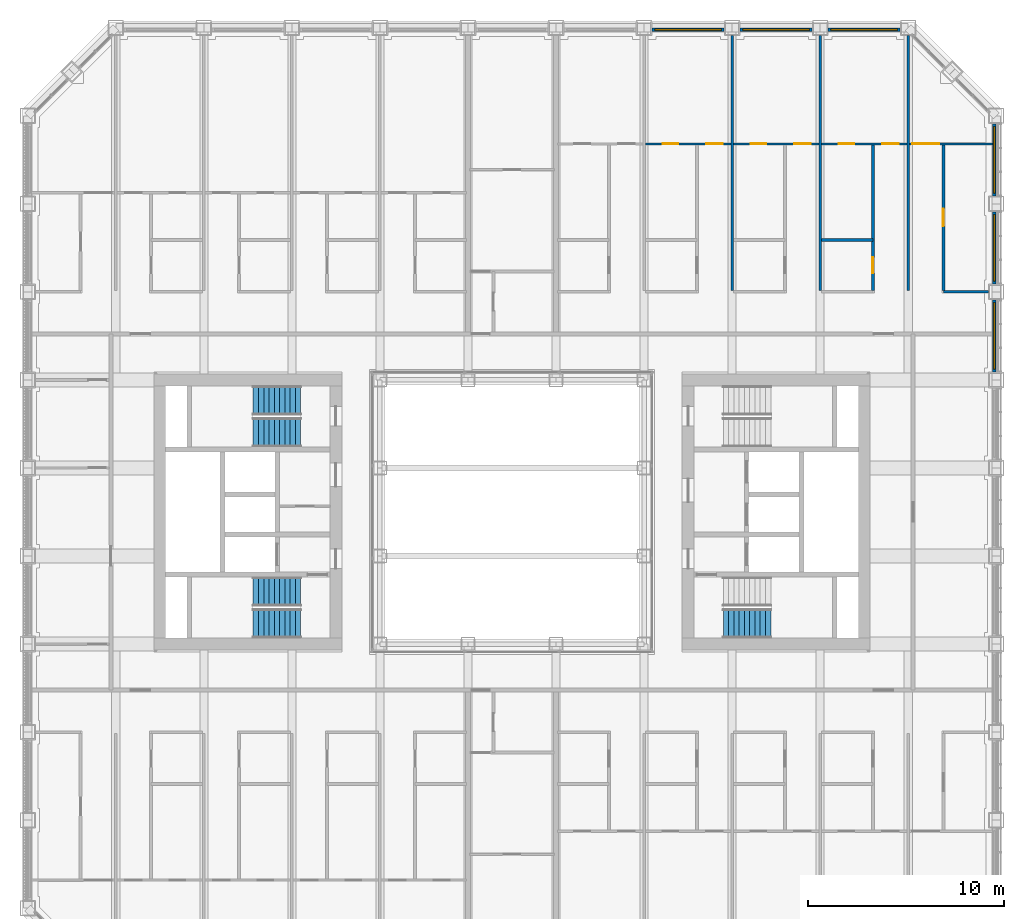
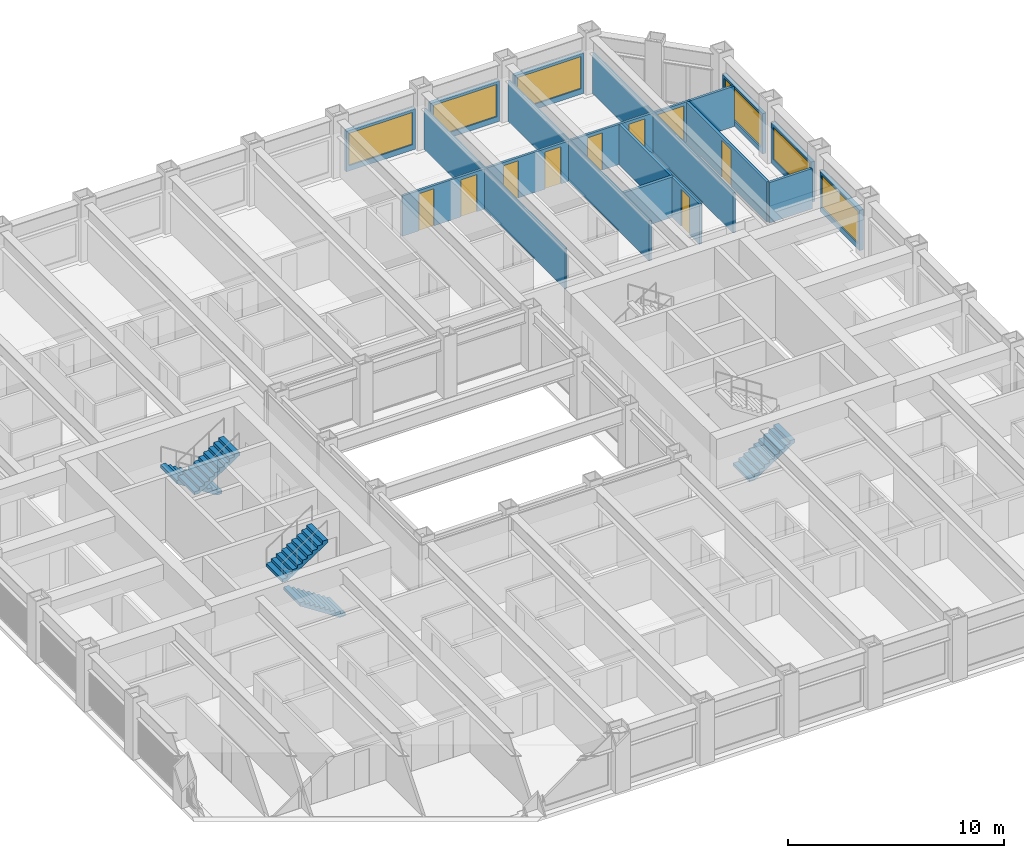
# One storey, part 15 of 21: 17 walls, 9 doors, 6 windows, 5 stair flights, 15 openings, 3 elements without a shape of their own.
"""IFC4 building model written with IfcOpenShell, lengths in metres."""

from ifc_helpers import new_model, si_unit, direction, frame, frame_2d, origin, place, context, subcontext, project, spatial, polyline, rectangle, outline, extrude, material, layer, layer_set, type_object, element, fill, aggregate, save


model = new_model("IFC4")

# Units and contexts
model_context = context("Model", 3, precision=1e-05, world=origin(), true_north=direction((0.0, 1.0)))
body_context = subcontext(model_context, "Body", "Model", "MODEL_VIEW")
ifc_project = project(units=[si_unit("LENGTHUNIT", "METRE"), si_unit("AREAUNIT", "SQUARE_METRE"), si_unit("VOLUMEUNIT", "CUBIC_METRE"), si_unit("PLANEANGLEUNIT", "RADIAN"), si_unit("MASSUNIT", "GRAM", prefix="KILO")], contexts=[model_context])

# Site, building, storey
site_placement = place(None, origin())
site = spatial("IfcSite", under=ifc_project, at=site_placement, CompositionType="ELEMENT")
building_placement = place(site_placement, origin())
building = spatial("IfcBuilding", under=site, at=building_placement, Name="Msasa Ring Tower", CompositionType="ELEMENT")
storey_placement = place(building_placement, frame((0.0, 0.0, 103.5)))
storey = spatial("IfcBuildingStorey", under=building, at=storey_placement, Name="L27", CompositionType="ELEMENT", Elevation=103.5)

# Wall, opening, window
ifc_material_1 = material(Name="Terracotta rainscreen on blockwork", Category="masonry")
ifc_layer_1 = layer(ifc_material_1, 0.199951171875)
ifc_layer_set_1 = layer_set([ifc_layer_1], Name="FW1 TERRACOTTA-LINED INFILL BAY WALL 200")
wall_type_1 = type_object("IfcWallType", Name="FW1 TERRACOTTA-LINED INFILL BAY WALL 200", PredefinedType="SOLIDWALL", material=ifc_layer_set_1)
wall_1_placement = place(storey_placement, frame((24.64990234375, 7.155029296875, 0.0), z_axis=(0.0, 0.0, 1.0), x_axis=(0.0, 1.0, 0.0)))
wall_1 = element("IfcWall", 1, at=wall_1_placement, inside=storey, type_object=wall_type_1, Name="Infill bay wall E L27 17", PredefinedType="SOLIDWALL", context=body_context, shape_type="SweptSolid", body=[
    extrude(rectangle(XDim=3.68994140625, YDim=0.199951171875, at=frame_2d((1.844970703125, 0.0))), origin(), (0.0, 0.0, 1.0), 2.279052734375),
])
opening_1_placement = place(wall_1_placement, frame((0.14501953125, 0.0, 0.300048828125)))
opening_1 = element("IfcOpeningElement", 2, at=opening_1_placement, cuts=wall_1, Name="Opening WN6", PredefinedType="OPENING", context=body_context, shape_type="SweptSolid", body=[
    extrude(rectangle(XDim=3.39990234375, YDim=1.8291015625, at=frame_2d((1.699951171875, 0.91455078125))), frame((0.0, 0.10986328125, 0.0), z_axis=(0.0, -1.0, 0.0), x_axis=(1.0, 0.0, 0.0)), (0.0, 0.0, 1.0), 0.219970703125),
])
ifc_material_2 = material(Name="Aluminium frame with clear glass", Category="aluminium")
window_type = type_object("IfcWindowType", Name="WN6 RESIDENCE WINDOW 3400x1829", PartitioningType="SINGLE_PANEL", PredefinedType="WINDOW", material=ifc_material_2)
window_1_placement = place(opening_1_placement, origin())
window_1 = element("IfcWindow", 3, at=window_1_placement, inside=storey, type_object=window_type, Name="Window E L27 17", OverallHeight=1.8291015625, OverallWidth=3.39990234375, PartitioningType="SINGLE_PANEL", PredefinedType="WINDOW", context=body_context, shape_type="SweptSolid", body=[
    extrude(rectangle(XDim=3.39990234375, YDim=1.8291015625, at=frame_2d((1.699951171875, 0.91455078125))), frame((0.0, 0.030029296875, 0.0), z_axis=(0.0, -1.0, 0.0), x_axis=(1.0, 0.0, 0.0)), (0.0, 0.0, 1.0), 0.06005859375),
])
fill(opening_1, window_1)

wall_2_placement = place(storey_placement, frame((24.64990234375, 11.655029296875, 0.0), z_axis=(0.0, 0.0, 1.0), x_axis=(0.0, 1.0, 0.0)))
wall_2 = element("IfcWall", 4, at=wall_2_placement, inside=storey, type_object=wall_type_1, Name="Infill bay wall E L27 18", PredefinedType="SOLIDWALL", context=body_context, shape_type="SweptSolid", body=[
    extrude(rectangle(XDim=3.68994140625, YDim=0.199951171875, at=frame_2d((1.844970703125, 0.0))), origin(), (0.0, 0.0, 1.0), 2.279052734375),
])
opening_2_placement = place(wall_2_placement, frame((0.14501953125, 0.0, 0.300048828125)))
opening_2 = element("IfcOpeningElement", 5, at=opening_2_placement, cuts=wall_2, Name="Opening WN6", PredefinedType="OPENING", context=body_context, shape_type="SweptSolid", body=[
    extrude(rectangle(XDim=3.39990234375, YDim=1.8291015625, at=frame_2d((1.699951171875, 0.91455078125))), frame((0.0, 0.10986328125, 0.0), z_axis=(0.0, -1.0, 0.0), x_axis=(1.0, 0.0, 0.0)), (0.0, 0.0, 1.0), 0.219970703125),
])
window_2_placement = place(opening_2_placement, origin())
window_2 = element("IfcWindow", 6, at=window_2_placement, inside=storey, type_object=window_type, Name="Window E L27 18", OverallHeight=1.8291015625, OverallWidth=3.39990234375, PartitioningType="SINGLE_PANEL", PredefinedType="WINDOW", context=body_context, shape_type="SweptSolid", body=[
    extrude(rectangle(XDim=3.39990234375, YDim=1.8291015625, at=frame_2d((1.699951171875, 0.91455078125))), frame((0.0, 0.030029296875, 0.0), z_axis=(0.0, -1.0, 0.0), x_axis=(1.0, 0.0, 0.0)), (0.0, 0.0, 1.0), 0.06005859375),
])
fill(opening_2, window_2)

wall_3_placement = place(storey_placement, frame((24.64990234375, 16.155029296875, 0.0), z_axis=(0.0, 0.0, 1.0), x_axis=(0.0, 1.0, 0.0)))
wall_3 = element("IfcWall", 7, at=wall_3_placement, inside=storey, type_object=wall_type_1, Name="Infill bay wall E L27 19", PredefinedType="SOLIDWALL", context=body_context, shape_type="SweptSolid", body=[
    extrude(rectangle(XDim=3.68994140625, YDim=0.199951171875, at=frame_2d((1.844970703125, 0.0))), origin(), (0.0, 0.0, 1.0), 2.279052734375),
])
opening_3_placement = place(wall_3_placement, frame((0.14501953125, 0.0, 0.300048828125)))
opening_3 = element("IfcOpeningElement", 8, at=opening_3_placement, cuts=wall_3, Name="Opening WN6", PredefinedType="OPENING", context=body_context, shape_type="SweptSolid", body=[
    extrude(rectangle(XDim=3.39990234375, YDim=1.8291015625, at=frame_2d((1.699951171875, 0.91455078125))), frame((0.0, 0.10986328125, 0.0), z_axis=(0.0, -1.0, 0.0), x_axis=(1.0, 0.0, 0.0)), (0.0, 0.0, 1.0), 0.219970703125),
])
window_3_placement = place(opening_3_placement, origin())
window_3 = element("IfcWindow", 9, at=window_3_placement, inside=storey, type_object=window_type, Name="Window E L27 19", OverallHeight=1.8291015625, OverallWidth=3.39990234375, PartitioningType="SINGLE_PANEL", PredefinedType="WINDOW", context=body_context, shape_type="SweptSolid", body=[
    extrude(rectangle(XDim=3.39990234375, YDim=1.8291015625, at=frame_2d((1.699951171875, 0.91455078125))), frame((0.0, 0.030029296875, 0.0), z_axis=(0.0, -1.0, 0.0), x_axis=(1.0, 0.0, 0.0)), (0.0, 0.0, 1.0), 0.06005859375),
])
fill(opening_3, window_3)

wall_4_placement = place(storey_placement, frame((7.155029296875, 24.64990234375, 0.0), z_axis=(0.0, 0.0, 1.0), x_axis=(1.0, 0.0, 0.0)))
wall_4 = element("IfcWall", 10, at=wall_4_placement, inside=storey, type_object=wall_type_1, Name="Infill bay wall N L27 28", PredefinedType="SOLIDWALL", context=body_context, shape_type="SweptSolid", body=[
    extrude(rectangle(XDim=3.68994140625, YDim=0.199951171875, at=frame_2d((1.844970703125, 0.0))), origin(), (0.0, 0.0, 1.0), 2.279052734375),
])
opening_4_placement = place(wall_4_placement, frame((0.14501953125, 0.0, 0.300048828125)))
opening_4 = element("IfcOpeningElement", 11, at=opening_4_placement, cuts=wall_4, Name="Opening WN6", PredefinedType="OPENING", context=body_context, shape_type="SweptSolid", body=[
    extrude(rectangle(XDim=3.39990234375, YDim=1.8291015625, at=frame_2d((1.699951171875, 0.91455078125))), frame((0.0, 0.10986328125, 0.0), z_axis=(0.0, -1.0, 0.0), x_axis=(1.0, 0.0, 0.0)), (0.0, 0.0, 1.0), 0.219970703125),
])
window_4_placement = place(opening_4_placement, origin())
window_4 = element("IfcWindow", 12, at=window_4_placement, inside=storey, type_object=window_type, Name="Window N L27 28", OverallHeight=1.8291015625, OverallWidth=3.39990234375, PartitioningType="SINGLE_PANEL", PredefinedType="WINDOW", context=body_context, shape_type="SweptSolid", body=[
    extrude(rectangle(XDim=3.39990234375, YDim=1.8291015625, at=frame_2d((1.699951171875, 0.91455078125))), frame((0.0, 0.030029296875, 0.0), z_axis=(0.0, -1.0, 0.0), x_axis=(1.0, 0.0, 0.0)), (0.0, 0.0, 1.0), 0.06005859375),
])
fill(opening_4, window_4)

wall_5_placement = place(storey_placement, frame((11.655029296875, 24.64990234375, 0.0), z_axis=(0.0, 0.0, 1.0), x_axis=(1.0, 0.0, 0.0)))
wall_5 = element("IfcWall", 13, at=wall_5_placement, inside=storey, type_object=wall_type_1, Name="Infill bay wall N L27 29", PredefinedType="SOLIDWALL", context=body_context, shape_type="SweptSolid", body=[
    extrude(rectangle(XDim=3.68994140625, YDim=0.199951171875, at=frame_2d((1.844970703125, 0.0))), origin(), (0.0, 0.0, 1.0), 2.279052734375),
])
opening_5_placement = place(wall_5_placement, frame((0.14501953125, 0.0, 0.300048828125)))
opening_5 = element("IfcOpeningElement", 14, at=opening_5_placement, cuts=wall_5, Name="Opening WN6", PredefinedType="OPENING", context=body_context, shape_type="SweptSolid", body=[
    extrude(rectangle(XDim=3.39990234375, YDim=1.8291015625, at=frame_2d((1.699951171875, 0.91455078125))), frame((0.0, 0.10986328125, 0.0), z_axis=(0.0, -1.0, 0.0), x_axis=(1.0, 0.0, 0.0)), (0.0, 0.0, 1.0), 0.219970703125),
])
window_5_placement = place(opening_5_placement, origin())
window_5 = element("IfcWindow", 15, at=window_5_placement, inside=storey, type_object=window_type, Name="Window N L27 29", OverallHeight=1.8291015625, OverallWidth=3.39990234375, PartitioningType="SINGLE_PANEL", PredefinedType="WINDOW", context=body_context, shape_type="SweptSolid", body=[
    extrude(rectangle(XDim=3.39990234375, YDim=1.8291015625, at=frame_2d((1.699951171875, 0.91455078125))), frame((0.0, 0.030029296875, 0.0), z_axis=(0.0, -1.0, 0.0), x_axis=(1.0, 0.0, 0.0)), (0.0, 0.0, 1.0), 0.06005859375),
])
fill(opening_5, window_5)

wall_6_placement = place(storey_placement, frame((16.155029296875, 24.64990234375, 0.0), z_axis=(0.0, 0.0, 1.0), x_axis=(1.0, 0.0, 0.0)))
wall_6 = element("IfcWall", 16, at=wall_6_placement, inside=storey, type_object=wall_type_1, Name="Infill bay wall N L27 30", PredefinedType="SOLIDWALL", context=body_context, shape_type="SweptSolid", body=[
    extrude(rectangle(XDim=3.68994140625, YDim=0.199951171875, at=frame_2d((1.844970703125, 0.0))), origin(), (0.0, 0.0, 1.0), 2.279052734375),
])
opening_6_placement = place(wall_6_placement, frame((0.14501953125, 0.0, 0.300048828125)))
opening_6 = element("IfcOpeningElement", 17, at=opening_6_placement, cuts=wall_6, Name="Opening WN6", PredefinedType="OPENING", context=body_context, shape_type="SweptSolid", body=[
    extrude(rectangle(XDim=3.39990234375, YDim=1.8291015625, at=frame_2d((1.699951171875, 0.91455078125))), frame((0.0, 0.10986328125, 0.0), z_axis=(0.0, -1.0, 0.0), x_axis=(1.0, 0.0, 0.0)), (0.0, 0.0, 1.0), 0.219970703125),
])
window_6_placement = place(opening_6_placement, origin())
window_6 = element("IfcWindow", 18, at=window_6_placement, inside=storey, type_object=window_type, Name="Window N L27 30", OverallHeight=1.8291015625, OverallWidth=3.39990234375, PartitioningType="SINGLE_PANEL", PredefinedType="WINDOW", context=body_context, shape_type="SweptSolid", body=[
    extrude(rectangle(XDim=3.39990234375, YDim=1.8291015625, at=frame_2d((1.699951171875, 0.91455078125))), frame((0.0, 0.030029296875, 0.0), z_axis=(0.0, -1.0, 0.0), x_axis=(1.0, 0.0, 0.0)), (0.0, 0.0, 1.0), 0.06005859375),
])
fill(opening_6, window_6)

# Wall, opening, door
ifc_material_3 = material(Name="Moisture-resistant board on steel studs with a concealed cistern and pipe void, tiled", Category="steel")
ifc_layer_2 = layer(ifc_material_3, 0.14990234375)
ifc_layer_set_2 = layer_set([ifc_layer_2], Name="PT4 BATHROOM WET WALL 150")
wall_type_2 = type_object("IfcWallType", Name="PT4 BATHROOM WET WALL 150", PredefinedType="PARTITIONING", material=ifc_layer_set_2)
wall_7_placement = place(storey_placement, frame((22.050048828125, 11.3125, 0.0), z_axis=(0.0, 0.0, 1.0), x_axis=(0.0, 1.0, 0.0)))
wall_7 = element("IfcWall", 19, at=wall_7_placement, inside=storey, type_object=wall_type_2, Name="Partition L27-UN02SX0", PredefinedType="PARTITIONING", context=body_context, shape_type="SweptSolid", body=[
    extrude(rectangle(XDim=7.5, YDim=0.14990234375, at=frame_2d((3.75, 0.0))), origin(), (0.0, 0.0, 1.0), 2.279052734375),
])
opening_7_placement = place(wall_7_placement, frame((3.300048828125, 0.0, 0.0)))
opening_7 = element("IfcOpeningElement", 20, at=opening_7_placement, cuts=wall_7, Name="Opening RH-020", PredefinedType="OPENING", context=body_context, shape_type="SweptSolid", body=[
    extrude(rectangle(XDim=0.89990234375, YDim=2.10009765625, at=frame_2d((0.449951171875, 1.050048828125))), frame((0.0, 0.0849609375, 0.0), z_axis=(0.0, -1.0, 0.0), x_axis=(1.0, 0.0, 0.0)), (0.0, 0.0, 1.0), 0.169921875),
])
ifc_material_4 = material(Name="Timber door leaf in a steel frame", Category="steel")
door_type_1 = type_object("IfcDoorType", Name="D22 INTERNAL HALL DOOR 900x2100", OperationType="SINGLE_SWING_LEFT", PredefinedType="DOOR", material=ifc_material_4)
door_1_placement = place(opening_7_placement, origin())
door_1 = element("IfcDoor", 21, at=door_1_placement, inside=storey, type_object=door_type_1, Name="Door L27-UN02K", OperationType="SINGLE_SWING_LEFT", OverallHeight=2.10009765625, OverallWidth=0.89990234375, PredefinedType="DOOR", context=body_context, shape_type="SweptSolid", body=[
    extrude(rectangle(XDim=0.89990234375, YDim=2.10009765625, at=frame_2d((0.449951171875, 1.050048828125))), frame((0.0, 0.02490234375, 0.0), z_axis=(0.0, -1.0, 0.0), x_axis=(1.0, 0.0, 0.0)), (0.0, 0.0, 1.0), 0.050048828125),
])
fill(opening_7, door_1)

wall_8_placement = place(storey_placement, frame((18.449951171875, 11.3125, 0.0), z_axis=(0.0, 0.0, 1.0), x_axis=(0.0, 1.0, 0.0)))
wall_8 = element("IfcWall", 22, at=wall_8_placement, inside=storey, type_object=wall_type_2, Name="Partition L27-UN02SX1", PredefinedType="PARTITIONING", context=body_context, shape_type="SweptSolid", body=[
    extrude(rectangle(XDim=7.5, YDim=0.14990234375, at=frame_2d((3.75, 0.0))), origin(), (0.0, 0.0, 1.0), 2.279052734375),
])
opening_8_placement = place(wall_8_placement, frame((0.89990234375, 0.0, 0.0)))
opening_8 = element("IfcOpeningElement", 23, at=opening_8_placement, cuts=wall_8, Name="Opening RH-029", PredefinedType="OPENING", context=body_context, shape_type="SweptSolid", body=[
    extrude(rectangle(XDim=0.800048828125, YDim=2.10009765625, at=frame_2d((0.39990234375, 1.050048828125))), frame((0.0, 0.0849609375, 0.0), z_axis=(0.0, -1.0, 0.0), x_axis=(1.0, 0.0, 0.0)), (0.0, 0.0, 1.0), 0.169921875),
])
ifc_material_5 = material(Name="Timber door leaf in a steel frame", Category="steel")
door_type_2 = type_object("IfcDoorType", Name="D21 POCKET SLIDING BATHROOM DOOR 800x2100", OperationType="SINGLE_SWING_LEFT", PredefinedType="DOOR", material=ifc_material_5)
door_2_placement = place(opening_8_placement, origin())
door_2 = element("IfcDoor", 24, at=door_2_placement, inside=storey, type_object=door_type_2, Name="Door L27-UN02B1", OperationType="SINGLE_SWING_LEFT", OverallHeight=2.10009765625, OverallWidth=0.800048828125, PredefinedType="DOOR", context=body_context, shape_type="SweptSolid", body=[
    extrude(rectangle(XDim=0.800048828125, YDim=2.10009765625, at=frame_2d((0.39990234375, 1.050048828125))), frame((0.0, 0.02490234375, 0.0), z_axis=(0.0, -1.0, 0.0), x_axis=(1.0, 0.0, 0.0)), (0.0, 0.0, 1.0), 0.050048828125),
])
fill(opening_8, door_2)

# Walls
wall_9_placement = place(storey_placement, frame((15.8125, 13.91259765625, 0.0), z_axis=(0.0, 0.0, 1.0), x_axis=(1.0, 0.0, 0.0)))
element("IfcWall", 25, at=wall_9_placement, inside=storey, type_object=wall_type_2, Name="Partition L27-UN02SB1", PredefinedType="PARTITIONING", context=body_context, shape_type="SweptSolid", body=[
    extrude(rectangle(XDim=2.637451171875, YDim=0.14990234375, at=frame_2d((1.31884765625, 0.0))), origin(), (0.0, 0.0, 1.0), 2.279052734375),
])
ifc_material_6 = material(Name="Two layers of acoustic board each face on steel studs, mineral wool", Category="steel")
ifc_layer_3 = layer(ifc_material_6, 0.125)
ifc_layer_set_3 = layer_set([ifc_layer_3], Name="PT6 ACOUSTIC DOUBLE-BOARD PARTITION 125")
wall_type_3 = type_object("IfcWallType", Name="PT6 ACOUSTIC DOUBLE-BOARD PARTITION 125", PredefinedType="PARTITIONING", material=ifc_layer_set_3)
wall_10_placement = place(storey_placement, frame((22.050048828125, 11.25, 0.0), z_axis=(0.0, 0.0, 1.0), x_axis=(1.0, 0.0, 0.0)))
element("IfcWall", 26, at=wall_10_placement, inside=storey, type_object=wall_type_3, Name="Partition L27-UN02HY0", PredefinedType="PARTITIONING", context=body_context, shape_type="SweptSolid", body=[
    extrude(rectangle(XDim=2.300048828125, YDim=0.125, at=frame_2d((1.14990234375, 0.0))), origin(), (0.0, 0.0, 1.0), 2.279052734375),
])

# Wall, opening, door
wall_11_placement = place(storey_placement, frame((20.3125, 18.8125, 0.0), z_axis=(0.0, 0.0, 1.0), x_axis=(1.0, 0.0, 0.0)))
wall_11 = element("IfcWall", 27, at=wall_11_placement, inside=storey, type_object=wall_type_3, Name="Partition L27-UN02SY0", PredefinedType="PARTITIONING", context=body_context, shape_type="SweptSolid", body=[
    extrude(rectangle(XDim=4.237548828125, YDim=0.125, at=frame_2d((2.11865234375, 0.0))), origin(), (0.0, 0.0, 1.0), 2.279052734375),
])
opening_9_placement = place(wall_11_placement, frame((0.137451171875, 0.0, 0.0)))
opening_9 = element("IfcOpeningElement", 28, at=opening_9_placement, cuts=wall_11, Name="Opening RH-009", PredefinedType="OPENING", context=body_context, shape_type="SweptSolid", body=[
    extrude(rectangle(XDim=1.39990234375, YDim=2.10009765625, at=frame_2d((0.699951171875, 1.050048828125))), frame((0.0, 0.072509765625, 0.0), z_axis=(0.0, -1.0, 0.0), x_axis=(1.0, 0.0, 0.0)), (0.0, 0.0, 1.0), 0.14501953125),
])
ifc_material_7 = material(Name="Timber door leaf in a steel frame", Category="steel")
door_type_3 = type_object("IfcDoorType", Name="D15 LIVING ROOM PAIR OF GLAZED DOORS 1400x2100", OperationType="SINGLE_SWING_LEFT", PredefinedType="DOOR", material=ifc_material_7)
door_3_placement = place(opening_9_placement, origin())
door_3 = element("IfcDoor", 29, at=door_3_placement, inside=storey, type_object=door_type_3, Name="Door L27-UN02L", OperationType="SINGLE_SWING_LEFT", OverallHeight=2.10009765625, OverallWidth=1.39990234375, PredefinedType="DOOR", context=body_context, shape_type="SweptSolid", body=[
    extrude(rectangle(XDim=1.39990234375, YDim=2.10009765625, at=frame_2d((0.699951171875, 1.050048828125))), frame((0.0, 0.02490234375, 0.0), z_axis=(0.0, -1.0, 0.0), x_axis=(1.0, 0.0, 0.0)), (0.0, 0.0, 1.0), 0.050048828125),
])
fill(opening_9, door_3)

# Wall
wall_12_placement = place(storey_placement, frame((20.25, 11.3125, 0.0), z_axis=(0.0, 0.0, 1.0), x_axis=(0.0, 1.0, 0.0)))
element("IfcWall", 30, at=wall_12_placement, inside=storey, type_object=wall_type_3, Name="Partition L27-UN02P1", PredefinedType="PARTITIONING", context=body_context, shape_type="SweptSolid", body=[
    extrude(rectangle(XDim=13.03759765625, YDim=0.125, at=frame_2d((6.518798828125, 0.0))), origin(), (0.0, 0.0, 1.0), 2.279052734375),
])

# Wall, openings, doors
wall_13_placement = place(storey_placement, frame((15.8125, 18.8125, 0.0), z_axis=(0.0, 0.0, 1.0), x_axis=(1.0, 0.0, 0.0)))
wall_13 = element("IfcWall", 31, at=wall_13_placement, inside=storey, type_object=wall_type_3, Name="Partition L27-UN02SY1", PredefinedType="PARTITIONING", context=body_context, shape_type="SweptSolid", body=[
    extrude(rectangle(XDim=4.375, YDim=0.125, at=frame_2d((2.1875, 0.0))), origin(), (0.0, 0.0, 1.0), 2.279052734375),
])
opening_10_placement = place(wall_13_placement, frame((3.112548828125, 0.0, 0.0)))
opening_10 = element("IfcOpeningElement", 32, at=opening_10_placement, cuts=wall_13, Name="Opening RH-008", PredefinedType="OPENING", context=body_context, shape_type="SweptSolid", body=[
    extrude(rectangle(XDim=0.85009765625, YDim=2.10009765625, at=frame_2d((0.425048828125, 1.050048828125))), frame((0.0, 0.072509765625, 0.0), z_axis=(0.0, -1.0, 0.0), x_axis=(1.0, 0.0, 0.0)), (0.0, 0.0, 1.0), 0.14501953125),
])
opening_11_placement = place(wall_13_placement, frame((0.88134765625, 0.0, 0.0)))
opening_11 = element("IfcOpeningElement", 33, at=opening_11_placement, cuts=wall_13, Name="Opening RH-007", PredefinedType="OPENING", context=body_context, shape_type="SweptSolid", body=[
    extrude(rectangle(XDim=0.800048828125, YDim=2.10009765625, at=frame_2d((0.39990234375, 1.050048828125))), frame((0.0, 0.072509765625, 0.0), z_axis=(0.0, -1.0, 0.0), x_axis=(1.0, 0.0, 0.0)), (0.0, 0.0, 1.0), 0.14501953125),
])
ifc_material_8 = material(Name="Timber door leaf in a steel frame", Category="steel")
door_type_4 = type_object("IfcDoorType", Name="D14 BEDROOM DOOR 850x2100", OperationType="SINGLE_SWING_LEFT", PredefinedType="DOOR", material=ifc_material_8)
door_4_placement = place(opening_10_placement, origin())
door_4 = element("IfcDoor", 34, at=door_4_placement, inside=storey, type_object=door_type_4, Name="Door L27-UN02R1", OperationType="SINGLE_SWING_RIGHT", OverallHeight=2.10009765625, OverallWidth=0.85009765625, PredefinedType="DOOR", context=body_context, shape_type="SweptSolid", body=[
    extrude(rectangle(XDim=0.85009765625, YDim=2.10009765625, at=frame_2d((0.425048828125, 1.050048828125))), frame((0.0, 0.02490234375, 0.0), z_axis=(0.0, -1.0, 0.0), x_axis=(1.0, 0.0, 0.0)), (0.0, 0.0, 1.0), 0.050048828125),
])
fill(opening_10, door_4)
ifc_material_9 = material(Name="Timber door leaf in a steel frame", Category="steel")
door_type_5 = type_object("IfcDoorType", Name="D60 DRESSING ROOM DOOR 800x2100", OperationType="SINGLE_SWING_LEFT", PredefinedType="DOOR", material=ifc_material_9)
door_5_placement = place(opening_11_placement, origin())
door_5 = element("IfcDoor", 35, at=door_5_placement, inside=storey, type_object=door_type_5, Name="Door L27-UN02W1", OperationType="SINGLE_SWING_LEFT", OverallHeight=2.10009765625, OverallWidth=0.800048828125, PredefinedType="DOOR", context=body_context, shape_type="SweptSolid", body=[
    extrude(rectangle(XDim=0.800048828125, YDim=2.10009765625, at=frame_2d((0.39990234375, 1.050048828125))), frame((0.0, 0.02490234375, 0.0), z_axis=(0.0, -1.0, 0.0), x_axis=(1.0, 0.0, 0.0)), (0.0, 0.0, 1.0), 0.050048828125),
])
fill(opening_11, door_5)

# Wall
wall_14_placement = place(storey_placement, frame((15.75, 11.3125, 0.0), z_axis=(0.0, 0.0, 1.0), x_axis=(0.0, 1.0, 0.0)))
element("IfcWall", 36, at=wall_14_placement, inside=storey, type_object=wall_type_3, Name="Partition L27-UN02P2", PredefinedType="PARTITIONING", context=body_context, shape_type="SweptSolid", body=[
    extrude(rectangle(XDim=13.03759765625, YDim=0.125, at=frame_2d((6.518798828125, 0.0))), origin(), (0.0, 0.0, 1.0), 2.279052734375),
])

# Wall, openings, doors
wall_15_placement = place(storey_placement, frame((11.3125, 18.8125, 0.0), z_axis=(0.0, 0.0, 1.0), x_axis=(1.0, 0.0, 0.0)))
wall_15 = element("IfcWall", 37, at=wall_15_placement, inside=storey, type_object=wall_type_3, Name="Partition L27-UN02SY2", PredefinedType="PARTITIONING", context=body_context, shape_type="SweptSolid", body=[
    extrude(rectangle(XDim=4.375, YDim=0.125, at=frame_2d((2.1875, 0.0))), origin(), (0.0, 0.0, 1.0), 2.279052734375),
])
opening_12_placement = place(wall_15_placement, frame((3.112548828125, 0.0, 0.0)))
opening_12 = element("IfcOpeningElement", 38, at=opening_12_placement, cuts=wall_15, Name="Opening RH-006", PredefinedType="OPENING", context=body_context, shape_type="SweptSolid", body=[
    extrude(rectangle(XDim=0.85009765625, YDim=2.10009765625, at=frame_2d((0.425048828125, 1.050048828125))), frame((0.0, 0.072509765625, 0.0), z_axis=(0.0, -1.0, 0.0), x_axis=(1.0, 0.0, 0.0)), (0.0, 0.0, 1.0), 0.14501953125),
])
opening_13_placement = place(wall_15_placement, frame((0.88134765625, 0.0, 0.0)))
opening_13 = element("IfcOpeningElement", 39, at=opening_13_placement, cuts=wall_15, Name="Opening RH-005", PredefinedType="OPENING", context=body_context, shape_type="SweptSolid", body=[
    extrude(rectangle(XDim=0.800048828125, YDim=2.10009765625, at=frame_2d((0.39990234375, 1.050048828125))), frame((0.0, 0.072509765625, 0.0), z_axis=(0.0, -1.0, 0.0), x_axis=(1.0, 0.0, 0.0)), (0.0, 0.0, 1.0), 0.14501953125),
])
door_6_placement = place(opening_12_placement, origin())
door_6 = element("IfcDoor", 40, at=door_6_placement, inside=storey, type_object=door_type_4, Name="Door L27-UN02R2", OperationType="SINGLE_SWING_RIGHT", OverallHeight=2.10009765625, OverallWidth=0.85009765625, PredefinedType="DOOR", context=body_context, shape_type="SweptSolid", body=[
    extrude(rectangle(XDim=0.85009765625, YDim=2.10009765625, at=frame_2d((0.425048828125, 1.050048828125))), frame((0.0, 0.02490234375, 0.0), z_axis=(0.0, -1.0, 0.0), x_axis=(1.0, 0.0, 0.0)), (0.0, 0.0, 1.0), 0.050048828125),
])
fill(opening_12, door_6)
door_7_placement = place(opening_13_placement, origin())
door_7 = element("IfcDoor", 41, at=door_7_placement, inside=storey, type_object=door_type_5, Name="Door L27-UN02W2", OperationType="SINGLE_SWING_LEFT", OverallHeight=2.10009765625, OverallWidth=0.800048828125, PredefinedType="DOOR", context=body_context, shape_type="SweptSolid", body=[
    extrude(rectangle(XDim=0.800048828125, YDim=2.10009765625, at=frame_2d((0.39990234375, 1.050048828125))), frame((0.0, 0.02490234375, 0.0), z_axis=(0.0, -1.0, 0.0), x_axis=(1.0, 0.0, 0.0)), (0.0, 0.0, 1.0), 0.050048828125),
])
fill(opening_13, door_7)

# Wall
wall_16_placement = place(storey_placement, frame((11.25, 11.3125, 0.0), z_axis=(0.0, 0.0, 1.0), x_axis=(0.0, 1.0, 0.0)))
element("IfcWall", 42, at=wall_16_placement, inside=storey, type_object=wall_type_3, Name="Partition L27-UN02P3", PredefinedType="PARTITIONING", context=body_context, shape_type="SweptSolid", body=[
    extrude(rectangle(XDim=13.03759765625, YDim=0.125, at=frame_2d((6.518798828125, 0.0))), origin(), (0.0, 0.0, 1.0), 2.279052734375),
])

# Wall, openings, doors
wall_17_placement = place(storey_placement, frame((6.8125, 18.8125, 0.0), z_axis=(0.0, 0.0, 1.0), x_axis=(1.0, 0.0, 0.0)))
wall_17 = element("IfcWall", 43, at=wall_17_placement, inside=storey, type_object=wall_type_3, Name="Partition L27-UN02SY3", PredefinedType="PARTITIONING", context=body_context, shape_type="SweptSolid", body=[
    extrude(rectangle(XDim=4.375, YDim=0.125, at=frame_2d((2.1875, 0.0))), origin(), (0.0, 0.0, 1.0), 2.279052734375),
])
opening_14_placement = place(wall_17_placement, frame((3.112548828125, 0.0, 0.0)))
opening_14 = element("IfcOpeningElement", 44, at=opening_14_placement, cuts=wall_17, Name="Opening RH-004", PredefinedType="OPENING", context=body_context, shape_type="SweptSolid", body=[
    extrude(rectangle(XDim=0.85009765625, YDim=2.10009765625, at=frame_2d((0.425048828125, 1.050048828125))), frame((0.0, 0.072509765625, 0.0), z_axis=(0.0, -1.0, 0.0), x_axis=(1.0, 0.0, 0.0)), (0.0, 0.0, 1.0), 0.14501953125),
])
opening_15_placement = place(wall_17_placement, frame((0.88134765625, 0.0, 0.0)))
opening_15 = element("IfcOpeningElement", 45, at=opening_15_placement, cuts=wall_17, Name="Opening RH-003", PredefinedType="OPENING", context=body_context, shape_type="SweptSolid", body=[
    extrude(rectangle(XDim=0.800048828125, YDim=2.10009765625, at=frame_2d((0.39990234375, 1.050048828125))), frame((0.0, 0.072509765625, 0.0), z_axis=(0.0, -1.0, 0.0), x_axis=(1.0, 0.0, 0.0)), (0.0, 0.0, 1.0), 0.14501953125),
])
door_8_placement = place(opening_14_placement, origin())
door_8 = element("IfcDoor", 46, at=door_8_placement, inside=storey, type_object=door_type_4, Name="Door L27-UN02R3", OperationType="SINGLE_SWING_RIGHT", OverallHeight=2.10009765625, OverallWidth=0.85009765625, PredefinedType="DOOR", context=body_context, shape_type="SweptSolid", body=[
    extrude(rectangle(XDim=0.85009765625, YDim=2.10009765625, at=frame_2d((0.425048828125, 1.050048828125))), frame((0.0, 0.02490234375, 0.0), z_axis=(0.0, -1.0, 0.0), x_axis=(1.0, 0.0, 0.0)), (0.0, 0.0, 1.0), 0.050048828125),
])
fill(opening_14, door_8)
door_9_placement = place(opening_15_placement, origin())
door_9 = element("IfcDoor", 47, at=door_9_placement, inside=storey, type_object=door_type_5, Name="Door L27-UN02W3", OperationType="SINGLE_SWING_LEFT", OverallHeight=2.10009765625, OverallWidth=0.800048828125, PredefinedType="DOOR", context=body_context, shape_type="SweptSolid", body=[
    extrude(rectangle(XDim=0.800048828125, YDim=2.10009765625, at=frame_2d((0.39990234375, 1.050048828125))), frame((0.0, 0.02490234375, 0.0), z_axis=(0.0, -1.0, 0.0), x_axis=(1.0, 0.0, 0.0)), (0.0, 0.0, 1.0), 0.050048828125),
])
fill(opening_15, door_9)

# Stair, stair flight
ifc_material_10 = material(Name="Concrete C40/50", Category="concrete")
stair_type = type_object("IfcStairType", Name="STC CORE STAIR 20 RISERS 175", PredefinedType="HALF_TURN_STAIR", material=ifc_material_10)
stair_1_placement = place(storey_placement, origin())
stair_1 = element("IfcStair", 48, at=stair_1_placement, inside=storey, type_object=stair_type, Name="Core stair SEA L27", PredefinedType="HALF_TURN_STAIR")
ifc_material_11 = material(Name="Concrete C40/50", Category="concrete")
stair_flight_type = type_object("IfcStairFlightType", Name="ST12 CORE STAIR FLIGHT 1500 10 RISERS 175", PredefinedType="STRAIGHT", material=ifc_material_11)
stair_flight_1_placement = place(storey_placement, frame((10.800048828125, -5.699951171875, 0.0), z_axis=(0.0, 0.0, 1.0), x_axis=(1.0, 0.0, 0.0)))
stair_flight_1 = element("IfcStairFlight", 49, at=stair_flight_1_placement, type_object=stair_flight_type, Name="SEA flight 1", NumberOfRisers=10, NumberOfTreads=9, PredefinedType="STRAIGHT", RiserHeight=0.175, TreadLength=0.27, context=body_context, shape_type="SweptSolid", body=[
    extrude(outline(polyline([(0.0, 0.0), (0.0, 0.175048828125), (0.27001953125, 0.175048828125), (0.27001953125, 0.35009765625), (0.5400390625, 0.35009765625), (0.5400390625, 0.52490234375), (0.81005859375, 0.52490234375), (0.81005859375, 0.699951171875), (1.080078125, 0.699951171875), (1.080078125, 0.875), (1.35009765625, 0.875), (1.35009765625, 1.050048828125), (1.6201171875, 1.050048828125), (1.6201171875, 1.22509765625), (1.889892578125, 1.22509765625), (1.889892578125, 1.39990234375), (2.159912109375, 1.39990234375), (2.159912109375, 1.574951171875), (2.429931640625, 1.574951171875), (2.429931640625, 1.75), (2.429931640625, 1.396484375), (0.275634765625, 0.0), (0.0, 0.0)])), frame((0.0, 0.75, 0.0), z_axis=(0.0, -1.0, 0.0), x_axis=(1.0, 0.0, 0.0)), (0.0, 0.0, 1.0), 1.5),
])
aggregate(stair_1, [stair_flight_1])

# Stair, stair flights
stair_2_placement = place(storey_placement, origin())
stair_2 = element("IfcStair", 50, at=stair_2_placement, inside=storey, type_object=stair_type, Name="Core stair SWA L27", PredefinedType="HALF_TURN_STAIR")
stair_flight_2_placement = place(storey_placement, frame((-10.800048828125, -5.699951171875, 0.0), z_axis=(0.0, 0.0, 1.0), x_axis=(-1.0, 0.0, 0.0)))
stair_flight_2 = element("IfcStairFlight", 51, at=stair_flight_2_placement, type_object=stair_flight_type, Name="SWA flight 1", NumberOfRisers=10, NumberOfTreads=9, PredefinedType="STRAIGHT", RiserHeight=0.175, TreadLength=0.27, context=body_context, shape_type="SweptSolid", body=[
    extrude(outline(polyline([(0.0, 0.0), (0.0, 0.175048828125), (0.27001953125, 0.175048828125), (0.27001953125, 0.35009765625), (0.5400390625, 0.35009765625), (0.5400390625, 0.52490234375), (0.81005859375, 0.52490234375), (0.81005859375, 0.699951171875), (1.080078125, 0.699951171875), (1.080078125, 0.875), (1.35009765625, 0.875), (1.35009765625, 1.050048828125), (1.6201171875, 1.050048828125), (1.6201171875, 1.22509765625), (1.889892578125, 1.22509765625), (1.889892578125, 1.39990234375), (2.159912109375, 1.39990234375), (2.159912109375, 1.574951171875), (2.429931640625, 1.574951171875), (2.429931640625, 1.75), (2.429931640625, 1.396484375), (0.275634765625, 0.0), (0.0, 0.0)])), frame((0.0, 0.75, 0.0), z_axis=(0.0, -1.0, 0.0), x_axis=(1.0, 0.0, 0.0)), (0.0, 0.0, 1.0), 1.5),
])
stair_flight_3_placement = place(storey_placement, frame((-13.22998046875, -4.074951171875, 1.75), z_axis=(0.0, 0.0, 1.0), x_axis=(1.0, 0.0, 0.0)))
stair_flight_3 = element("IfcStairFlight", 52, at=stair_flight_3_placement, type_object=stair_flight_type, Name="SWA flight 2", NumberOfRisers=10, NumberOfTreads=9, PredefinedType="STRAIGHT", RiserHeight=0.175, TreadLength=0.27, context=body_context, shape_type="SweptSolid", body=[
    extrude(outline(polyline([(0.0, 0.0), (0.0, 0.175048828125), (0.27001953125, 0.175048828125), (0.27001953125, 0.35009765625), (0.5400390625, 0.35009765625), (0.5400390625, 0.52490234375), (0.81005859375, 0.52490234375), (0.81005859375, 0.699951171875), (1.080078125, 0.699951171875), (1.080078125, 0.875), (1.35009765625, 0.875), (1.35009765625, 1.050048828125), (1.6201171875, 1.050048828125), (1.6201171875, 1.22509765625), (1.889892578125, 1.22509765625), (1.889892578125, 1.39990234375), (2.159912109375, 1.39990234375), (2.159912109375, 1.574951171875), (2.429931640625, 1.574951171875), (2.429931640625, 1.75), (2.429931640625, 1.396484375), (0.275634765625, 0.0), (0.0, 0.0)])), frame((0.0, 0.75, 0.0), z_axis=(0.0, -1.0, 0.0), x_axis=(1.0, 0.0, 0.0)), (0.0, 0.0, 1.0), 1.5),
])
aggregate(stair_2, [stair_flight_2, stair_flight_3])

stair_3_placement = place(storey_placement, origin())
stair_3 = element("IfcStair", 53, at=stair_3_placement, inside=storey, type_object=stair_type, Name="Core stair SWB L27", PredefinedType="HALF_TURN_STAIR")
stair_flight_4_placement = place(storey_placement, frame((-10.800048828125, 5.699951171875, 0.0), z_axis=(0.0, 0.0, 1.0), x_axis=(-1.0, 0.0, 0.0)))
stair_flight_4 = element("IfcStairFlight", 54, at=stair_flight_4_placement, type_object=stair_flight_type, Name="SWB flight 1", NumberOfRisers=10, NumberOfTreads=9, PredefinedType="STRAIGHT", RiserHeight=0.175, TreadLength=0.27, context=body_context, shape_type="SweptSolid", body=[
    extrude(outline(polyline([(0.0, 0.0), (0.0, 0.175048828125), (0.27001953125, 0.175048828125), (0.27001953125, 0.35009765625), (0.5400390625, 0.35009765625), (0.5400390625, 0.52490234375), (0.81005859375, 0.52490234375), (0.81005859375, 0.699951171875), (1.080078125, 0.699951171875), (1.080078125, 0.875), (1.35009765625, 0.875), (1.35009765625, 1.050048828125), (1.6201171875, 1.050048828125), (1.6201171875, 1.22509765625), (1.889892578125, 1.22509765625), (1.889892578125, 1.39990234375), (2.159912109375, 1.39990234375), (2.159912109375, 1.574951171875), (2.429931640625, 1.574951171875), (2.429931640625, 1.75), (2.429931640625, 1.396484375), (0.275634765625, 0.0), (0.0, 0.0)])), frame((0.0, 0.75, 0.0), z_axis=(0.0, -1.0, 0.0), x_axis=(1.0, 0.0, 0.0)), (0.0, 0.0, 1.0), 1.5),
])
stair_flight_5_placement = place(storey_placement, frame((-13.22998046875, 4.074951171875, 1.75), z_axis=(0.0, 0.0, 1.0), x_axis=(1.0, 0.0, 0.0)))
stair_flight_5 = element("IfcStairFlight", 55, at=stair_flight_5_placement, type_object=stair_flight_type, Name="SWB flight 2", NumberOfRisers=10, NumberOfTreads=9, PredefinedType="STRAIGHT", RiserHeight=0.175, TreadLength=0.27, context=body_context, shape_type="SweptSolid", body=[
    extrude(outline(polyline([(0.0, 0.0), (0.0, 0.175048828125), (0.27001953125, 0.175048828125), (0.27001953125, 0.35009765625), (0.5400390625, 0.35009765625), (0.5400390625, 0.52490234375), (0.81005859375, 0.52490234375), (0.81005859375, 0.699951171875), (1.080078125, 0.699951171875), (1.080078125, 0.875), (1.35009765625, 0.875), (1.35009765625, 1.050048828125), (1.6201171875, 1.050048828125), (1.6201171875, 1.22509765625), (1.889892578125, 1.22509765625), (1.889892578125, 1.39990234375), (2.159912109375, 1.39990234375), (2.159912109375, 1.574951171875), (2.429931640625, 1.574951171875), (2.429931640625, 1.75), (2.429931640625, 1.396484375), (0.275634765625, 0.0), (0.0, 0.0)])), frame((0.0, 0.75, 0.0), z_axis=(0.0, -1.0, 0.0), x_axis=(1.0, 0.0, 0.0)), (0.0, 0.0, 1.0), 1.5),
])
aggregate(stair_3, [stair_flight_4, stair_flight_5])

save(model, "model.ifc")
